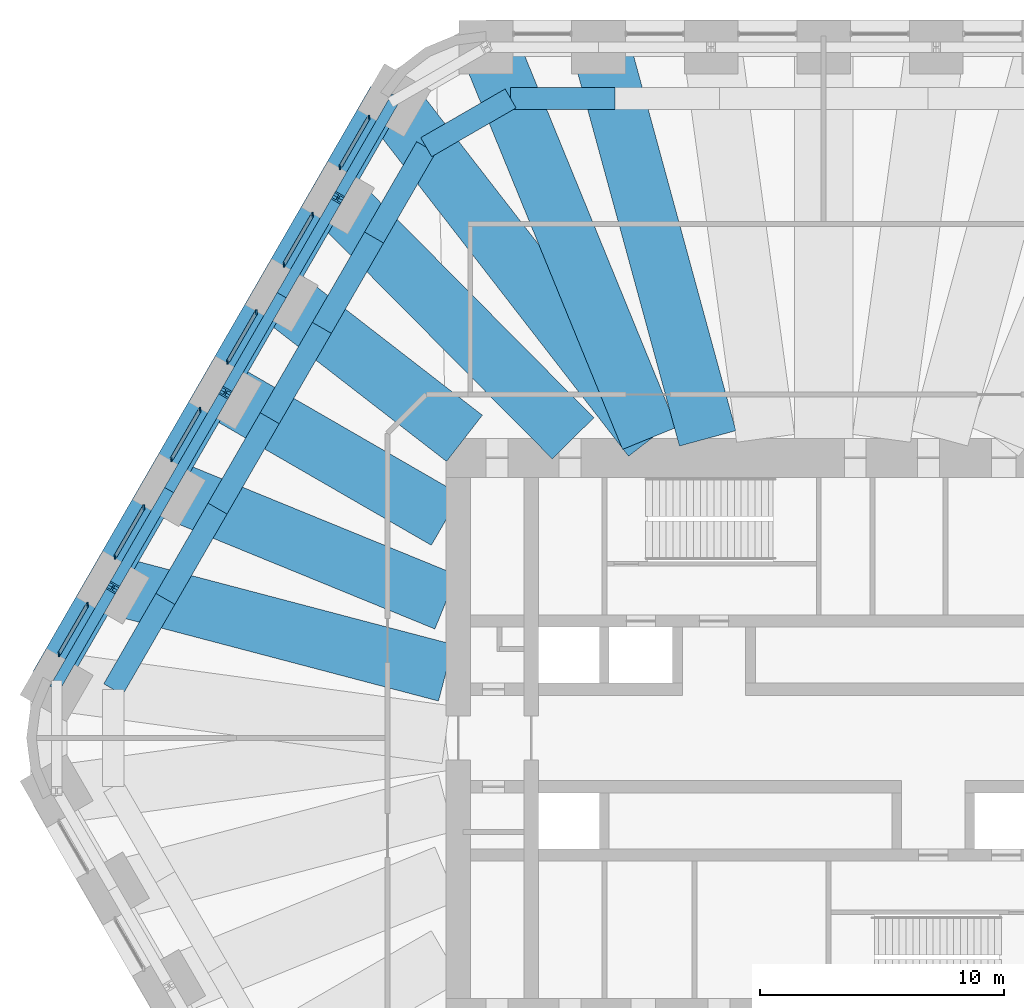
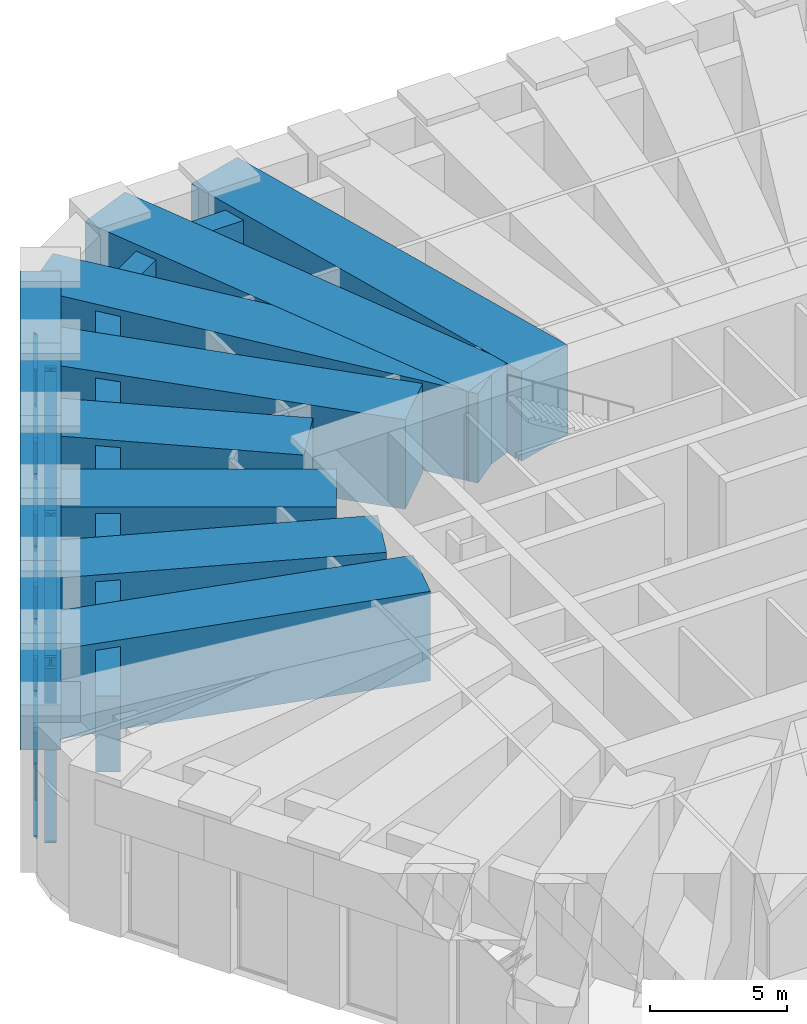
# One storey, part 6 of 14: 30 members, 22 beams, 6 elements without a shape of their own.
"""IFC4 building model written with IfcOpenShell, lengths in metres."""

from ifc_helpers import new_model, si_unit, direction, frame, origin, origin_2d, place, context, subcontext, project, spatial, rectangle, i_section, extrude, material, material_profile, profile_set, type_object, element, aggregate, save


model = new_model("IFC4")

# Units and contexts
model_context = context("Model", 3, precision=1e-05, world=origin(), true_north=direction((0.0, 1.0)))
body_context = subcontext(model_context, "Body", "Model", "MODEL_VIEW")
ifc_project = project(units=[si_unit("LENGTHUNIT", "METRE"), si_unit("AREAUNIT", "SQUARE_METRE"), si_unit("VOLUMEUNIT", "CUBIC_METRE"), si_unit("PLANEANGLEUNIT", "RADIAN"), si_unit("MASSUNIT", "GRAM", prefix="KILO")], contexts=[model_context])

# Site, building, storey
site_placement = place(None, origin())
site = spatial("IfcSite", under=ifc_project, at=site_placement, CompositionType="ELEMENT")
building_placement = place(site_placement, origin())
building = spatial("IfcBuilding", under=site, at=building_placement, Name="Tarfa Lantern Tower", CompositionType="ELEMENT")
storey_placement = place(building_placement, frame((0.0, 0.0, 299.5)))
storey = spatial("IfcBuildingStorey", under=building, at=storey_placement, Name="L68", CompositionType="ELEMENT", Elevation=299.5)

# Members
ifc_material_1 = material(Name="Steel S460M", Category="steel")
ifc_material_profile_1 = material_profile(ifc_material_1, i_section(OverallWidth=0.431884765625, OverallDepth=0.498046875, WebThickness=0.0556640625, FlangeThickness=0.0888671875, FilletRadius=0.02001953125, at=origin_2d()), Name="HD400x744")
ifc_profile_set_1 = profile_set([ifc_material_profile_1], Name="Steel S460M")
member_type_1 = type_object("IfcMemberType", Name="BT3 HD400x744", PredefinedType="BRACE", material=ifc_profile_set_1)
for number, where, z_axis, x_axis, name in (
    (1, (-17.62353515625, 26.175048828125, 0.60009765625), (-0.346717299558, -0.600487974203, 0.720556248342), (0.866009537788, -0.500027479704, 0.0), "Belt truss diagonal 15"),
    (2, (-22.242431640625, 18.175048828125, 0.60009765625), (0.346685053974, 0.600495604642, 0.720565404496), (-0.866032426089, 0.499987836815, 0.0), "Belt truss diagonal 16"),
    (3, (-22.242431640625, 18.175048828125, 0.60009765625), (-0.346685053974, -0.600495604642, 0.720565404496), (0.866032426089, -0.499987836815, 0.0), "Belt truss diagonal 17"),
    (4, (-26.861328125, 10.175048828125, 0.60009765625), (0.346717299558, 0.600487974203, 0.720556248342), (-0.866009537788, 0.500027479704, 0.0), "Belt truss diagonal 18"),
    (5, (-26.861328125, 10.175048828125, 0.60009765625), (-0.346685053974, -0.600495604642, 0.720565404496), (0.866032426089, -0.499987836815, 0.0), "Belt truss diagonal 19"),
    (6, (-31.47998046875, 2.175048828125, 0.60009765625), (0.346685053974, 0.600495604642, 0.720565404496), (-0.866032426089, 0.499987836815, 0.0), "Belt truss diagonal 20"),
):
    element("IfcMember", number, at=place(storey_placement, frame(where, z_axis=z_axis, x_axis=x_axis)), inside=storey, type_object=member_type_1, Name=name, PredefinedType="BRACE", context=body_context, shape_type="SweptSolid", body=[
        extrude(i_section(OverallWidth=0.431884765625, OverallDepth=0.498046875, WebThickness=0.0556640625, FlangeThickness=0.0888671875, FilletRadius=0.02001953125, at=origin_2d()), origin(), (0.0, 0.0, 1.0), 6.6611328125),
    ])

# Curtain wall, members
ifc_material_2 = material(Name="Aluminium framed curtain wall", Category="aluminium")
curtain_wall_type = type_object("IfcCurtainWallType", Name="CW6 LOUVRED SCREEN WALL 4700", PredefinedType="USERDEFINED", material=ifc_material_2)
curtain_wall_1_placement = place(storey_placement, origin())
curtain_wall_1 = element("IfcCurtainWall", 7, at=curtain_wall_1_placement, inside=storey, type_object=curtain_wall_type, Name="CW6 NW L68", ObjectType="CURTAIN WALL", PredefinedType="USERDEFINED")
ifc_material_3 = material(Name="Aluminium mullion", Category="aluminium")
ifc_material_profile_2 = material_profile(ifc_material_3, rectangle(XDim=0.06494140625, YDim=0.199951171875, at=origin_2d()), Name="AL MULLION 65x200")
ifc_profile_set_2 = profile_set([ifc_material_profile_2], Name="Aluminium mullion")
member_type_2 = type_object("IfcMemberType", Name="CWM1 MULLION 65x200", PredefinedType="MULLION", material=ifc_profile_set_2)
member_1_placement = place(storey_placement, frame((-18.666259765625, 25.46923828125, 0.0), z_axis=(0.0, 0.0, 1.0), x_axis=(1.0, 0.0, 0.0)))
member_1 = element("IfcMember", 8, at=member_1_placement, type_object=member_type_2, Name="CW6 mullion 1", PredefinedType="MULLION", context=body_context, shape_type="SweptSolid", body=[
    extrude(rectangle(XDim=0.06494140625, YDim=0.199951171875, at=origin_2d()), origin(), (0.0, 0.0, 1.0), 4.699951171875),
])
member_2_placement = place(storey_placement, frame((-19.843017578125, 23.4306640625, 0.0), z_axis=(0.0, 0.0, 1.0), x_axis=(1.0, 0.0, 0.0)))
member_2 = element("IfcMember", 9, at=member_2_placement, type_object=member_type_2, Name="CW6 mullion 2", PredefinedType="MULLION", context=body_context, shape_type="SweptSolid", body=[
    extrude(rectangle(XDim=0.06494140625, YDim=0.199951171875, at=origin_2d()), origin(), (0.0, 0.0, 1.0), 4.699951171875),
])

curtain_wall_2_placement = place(storey_placement, origin())
curtain_wall_2 = element("IfcCurtainWall", 10, at=curtain_wall_2_placement, inside=storey, type_object=curtain_wall_type, Name="CW6 NW L68", ObjectType="CURTAIN WALL", PredefinedType="USERDEFINED")
member_3_placement = place(storey_placement, frame((-20.9755859375, 21.46923828125, 0.0), z_axis=(0.0, 0.0, 1.0), x_axis=(1.0, 0.0, 0.0)))
member_3 = element("IfcMember", 11, at=member_3_placement, type_object=member_type_2, Name="CW6 mullion 1", PredefinedType="MULLION", context=body_context, shape_type="SweptSolid", body=[
    extrude(rectangle(XDim=0.06494140625, YDim=0.199951171875, at=origin_2d()), origin(), (0.0, 0.0, 1.0), 4.699951171875),
])
member_4_placement = place(storey_placement, frame((-22.152587890625, 19.4306640625, 0.0), z_axis=(0.0, 0.0, 1.0), x_axis=(1.0, 0.0, 0.0)))
member_4 = element("IfcMember", 12, at=member_4_placement, type_object=member_type_2, Name="CW6 mullion 2", PredefinedType="MULLION", context=body_context, shape_type="SweptSolid", body=[
    extrude(rectangle(XDim=0.06494140625, YDim=0.199951171875, at=origin_2d()), origin(), (0.0, 0.0, 1.0), 4.699951171875),
])

curtain_wall_3_placement = place(storey_placement, origin())
curtain_wall_3 = element("IfcCurtainWall", 13, at=curtain_wall_3_placement, inside=storey, type_object=curtain_wall_type, Name="CW6 NW L68", ObjectType="CURTAIN WALL", PredefinedType="USERDEFINED")
member_5_placement = place(storey_placement, frame((-23.284912109375, 17.46923828125, 0.0), z_axis=(0.0, 0.0, 1.0), x_axis=(1.0, 0.0, 0.0)))
member_5 = element("IfcMember", 14, at=member_5_placement, type_object=member_type_2, Name="CW6 mullion 1", PredefinedType="MULLION", context=body_context, shape_type="SweptSolid", body=[
    extrude(rectangle(XDim=0.06494140625, YDim=0.199951171875, at=origin_2d()), origin(), (0.0, 0.0, 1.0), 4.699951171875),
])
member_6_placement = place(storey_placement, frame((-24.4619140625, 15.4306640625, 0.0), z_axis=(0.0, 0.0, 1.0), x_axis=(1.0, 0.0, 0.0)))
member_6 = element("IfcMember", 15, at=member_6_placement, type_object=member_type_2, Name="CW6 mullion 2", PredefinedType="MULLION", context=body_context, shape_type="SweptSolid", body=[
    extrude(rectangle(XDim=0.06494140625, YDim=0.199951171875, at=origin_2d()), origin(), (0.0, 0.0, 1.0), 4.699951171875),
])

curtain_wall_4_placement = place(storey_placement, origin())
curtain_wall_4 = element("IfcCurtainWall", 16, at=curtain_wall_4_placement, inside=storey, type_object=curtain_wall_type, Name="CW6 NW L68", ObjectType="CURTAIN WALL", PredefinedType="USERDEFINED")
member_7_placement = place(storey_placement, frame((-25.594482421875, 13.46923828125, 0.0), z_axis=(0.0, 0.0, 1.0), x_axis=(1.0, 0.0, 0.0)))
member_7 = element("IfcMember", 17, at=member_7_placement, type_object=member_type_2, Name="CW6 mullion 1", PredefinedType="MULLION", context=body_context, shape_type="SweptSolid", body=[
    extrude(rectangle(XDim=0.06494140625, YDim=0.199951171875, at=origin_2d()), origin(), (0.0, 0.0, 1.0), 4.699951171875),
])
member_8_placement = place(storey_placement, frame((-26.771240234375, 11.4306640625, 0.0), z_axis=(0.0, 0.0, 1.0), x_axis=(1.0, 0.0, 0.0)))
member_8 = element("IfcMember", 18, at=member_8_placement, type_object=member_type_2, Name="CW6 mullion 2", PredefinedType="MULLION", context=body_context, shape_type="SweptSolid", body=[
    extrude(rectangle(XDim=0.06494140625, YDim=0.199951171875, at=origin_2d()), origin(), (0.0, 0.0, 1.0), 4.699951171875),
])

curtain_wall_5_placement = place(storey_placement, origin())
curtain_wall_5 = element("IfcCurtainWall", 19, at=curtain_wall_5_placement, inside=storey, type_object=curtain_wall_type, Name="CW6 NW L68", ObjectType="CURTAIN WALL", PredefinedType="USERDEFINED")
member_9_placement = place(storey_placement, frame((-27.90380859375, 9.46923828125, 0.0), z_axis=(0.0, 0.0, 1.0), x_axis=(1.0, 0.0, 0.0)))
member_9 = element("IfcMember", 20, at=member_9_placement, type_object=member_type_2, Name="CW6 mullion 1", PredefinedType="MULLION", context=body_context, shape_type="SweptSolid", body=[
    extrude(rectangle(XDim=0.06494140625, YDim=0.199951171875, at=origin_2d()), origin(), (0.0, 0.0, 1.0), 4.699951171875),
])
member_10_placement = place(storey_placement, frame((-29.08056640625, 7.4306640625, 0.0), z_axis=(0.0, 0.0, 1.0), x_axis=(1.0, 0.0, 0.0)))
member_10 = element("IfcMember", 21, at=member_10_placement, type_object=member_type_2, Name="CW6 mullion 2", PredefinedType="MULLION", context=body_context, shape_type="SweptSolid", body=[
    extrude(rectangle(XDim=0.06494140625, YDim=0.199951171875, at=origin_2d()), origin(), (0.0, 0.0, 1.0), 4.699951171875),
])

curtain_wall_6_placement = place(storey_placement, origin())
curtain_wall_6 = element("IfcCurtainWall", 22, at=curtain_wall_6_placement, inside=storey, type_object=curtain_wall_type, Name="CW6 NW L68", ObjectType="CURTAIN WALL", PredefinedType="USERDEFINED")
member_11_placement = place(storey_placement, frame((-30.213134765625, 5.46923828125, 0.0), z_axis=(0.0, 0.0, 1.0), x_axis=(1.0, 0.0, 0.0)))
member_11 = element("IfcMember", 23, at=member_11_placement, type_object=member_type_2, Name="CW6 mullion 1", PredefinedType="MULLION", context=body_context, shape_type="SweptSolid", body=[
    extrude(rectangle(XDim=0.06494140625, YDim=0.199951171875, at=origin_2d()), origin(), (0.0, 0.0, 1.0), 4.699951171875),
])
member_12_placement = place(storey_placement, frame((-31.39013671875, 3.4306640625, 0.0), z_axis=(0.0, 0.0, 1.0), x_axis=(1.0, 0.0, 0.0)))
member_12 = element("IfcMember", 24, at=member_12_placement, type_object=member_type_2, Name="CW6 mullion 2", PredefinedType="MULLION", context=body_context, shape_type="SweptSolid", body=[
    extrude(rectangle(XDim=0.06494140625, YDim=0.199951171875, at=origin_2d()), origin(), (0.0, 0.0, 1.0), 4.699951171875),
])

# Member
ifc_material_4 = material(Name="Aluminium transom", Category="aluminium")
ifc_material_profile_3 = material_profile(ifc_material_4, rectangle(XDim=0.14990234375, YDim=0.06494140625, at=origin_2d()), Name="AL TRANSOM 150x65")
ifc_profile_set_3 = profile_set([ifc_material_profile_3], Name="Aluminium transom")
member_type_3 = type_object("IfcMemberType", Name="CWT1 TRANSOM 150x65", PredefinedType="USERDEFINED", material=ifc_profile_set_3)
member_13_placement = place(storey_placement, frame((-18.682373046875, 25.441162109375, 0.032470703125), z_axis=(-0.500039451542, -0.866002625228, 0.0), x_axis=(0.866002625228, -0.500039451542, 0.0)))
member_13 = element("IfcMember", 25, at=member_13_placement, type_object=member_type_3, Name="CW6 transom 1.1", ObjectType="TRANSOM", PredefinedType="USERDEFINED", context=body_context, shape_type="SweptSolid", body=[
    extrude(rectangle(XDim=0.14990234375, YDim=0.06494140625, at=origin_2d()), origin(), (0.0, 0.0, 1.0), 2.288818359375),
])

member_14_placement = place(storey_placement, frame((-18.682373046875, 25.441162109375, 4.66748046875), z_axis=(-0.500039451542, -0.866002625228, 0.0), x_axis=(0.866002625228, -0.500039451542, 0.0)))
member_14 = element("IfcMember", 26, at=member_14_placement, type_object=member_type_3, Name="CW6 transom 1.2", ObjectType="TRANSOM", PredefinedType="USERDEFINED", context=body_context, shape_type="SweptSolid", body=[
    extrude(rectangle(XDim=0.14990234375, YDim=0.06494140625, at=origin_2d()), origin(), (0.0, 0.0, 1.0), 2.288818359375),
])

aggregate(curtain_wall_1, [member_1, member_2, member_13, member_14])

member_15_placement = place(storey_placement, frame((-20.991943359375, 21.441162109375, 0.032470703125), z_axis=(-0.499959451571, -0.866048813165, 0.0), x_axis=(0.866048813165, -0.499959451571, 0.0)))
member_15 = element("IfcMember", 27, at=member_15_placement, type_object=member_type_3, Name="CW6 transom 1.1", ObjectType="TRANSOM", PredefinedType="USERDEFINED", context=body_context, shape_type="SweptSolid", body=[
    extrude(rectangle(XDim=0.14990234375, YDim=0.06494140625, at=origin_2d()), origin(), (0.0, 0.0, 1.0), 2.288818359375),
])

member_16_placement = place(storey_placement, frame((-20.991943359375, 21.441162109375, 4.66748046875), z_axis=(-0.499959451571, -0.866048813165, 0.0), x_axis=(0.866048813165, -0.499959451571, 0.0)))
member_16 = element("IfcMember", 28, at=member_16_placement, type_object=member_type_3, Name="CW6 transom 1.2", ObjectType="TRANSOM", PredefinedType="USERDEFINED", context=body_context, shape_type="SweptSolid", body=[
    extrude(rectangle(XDim=0.14990234375, YDim=0.06494140625, at=origin_2d()), origin(), (0.0, 0.0, 1.0), 2.288818359375),
])

aggregate(curtain_wall_2, [member_3, member_4, member_15, member_16])

member_17_placement = place(storey_placement, frame((-23.30126953125, 17.441162109375, 0.032470703125), z_axis=(-0.499959451571, -0.866048813165, 0.0), x_axis=(0.866048813165, -0.499959451571, 0.0)))
member_17 = element("IfcMember", 29, at=member_17_placement, type_object=member_type_3, Name="CW6 transom 1.1", ObjectType="TRANSOM", PredefinedType="USERDEFINED", context=body_context, shape_type="SweptSolid", body=[
    extrude(rectangle(XDim=0.14990234375, YDim=0.06494140625, at=origin_2d()), origin(), (0.0, 0.0, 1.0), 2.288818359375),
])

member_18_placement = place(storey_placement, frame((-23.30126953125, 17.441162109375, 4.66748046875), z_axis=(-0.499959451571, -0.866048813165, 0.0), x_axis=(0.866048813165, -0.499959451571, 0.0)))
member_18 = element("IfcMember", 30, at=member_18_placement, type_object=member_type_3, Name="CW6 transom 1.2", ObjectType="TRANSOM", PredefinedType="USERDEFINED", context=body_context, shape_type="SweptSolid", body=[
    extrude(rectangle(XDim=0.14990234375, YDim=0.06494140625, at=origin_2d()), origin(), (0.0, 0.0, 1.0), 2.288818359375),
])

aggregate(curtain_wall_3, [member_5, member_6, member_17, member_18])

member_19_placement = place(storey_placement, frame((-25.610595703125, 13.441162109375, 0.032470703125), z_axis=(-0.500039451542, -0.866002625228, 0.0), x_axis=(0.866002625228, -0.500039451542, 0.0)))
member_19 = element("IfcMember", 31, at=member_19_placement, type_object=member_type_3, Name="CW6 transom 1.1", ObjectType="TRANSOM", PredefinedType="USERDEFINED", context=body_context, shape_type="SweptSolid", body=[
    extrude(rectangle(XDim=0.14990234375, YDim=0.06494140625, at=origin_2d()), origin(), (0.0, 0.0, 1.0), 2.288818359375),
])

member_20_placement = place(storey_placement, frame((-25.610595703125, 13.441162109375, 4.66748046875), z_axis=(-0.500039451542, -0.866002625228, 0.0), x_axis=(0.866002625228, -0.500039451542, 0.0)))
member_20 = element("IfcMember", 32, at=member_20_placement, type_object=member_type_3, Name="CW6 transom 1.2", ObjectType="TRANSOM", PredefinedType="USERDEFINED", context=body_context, shape_type="SweptSolid", body=[
    extrude(rectangle(XDim=0.14990234375, YDim=0.06494140625, at=origin_2d()), origin(), (0.0, 0.0, 1.0), 2.288818359375),
])

aggregate(curtain_wall_4, [member_7, member_8, member_19, member_20])

member_21_placement = place(storey_placement, frame((-27.919921875, 9.441162109375, 0.032470703125), z_axis=(-0.500039451542, -0.866002625228, 0.0), x_axis=(0.866002625228, -0.500039451542, 0.0)))
member_21 = element("IfcMember", 33, at=member_21_placement, type_object=member_type_3, Name="CW6 transom 1.1", ObjectType="TRANSOM", PredefinedType="USERDEFINED", context=body_context, shape_type="SweptSolid", body=[
    extrude(rectangle(XDim=0.14990234375, YDim=0.06494140625, at=origin_2d()), origin(), (0.0, 0.0, 1.0), 2.288818359375),
])

member_22_placement = place(storey_placement, frame((-27.919921875, 9.441162109375, 4.66748046875), z_axis=(-0.500039451542, -0.866002625228, 0.0), x_axis=(0.866002625228, -0.500039451542, 0.0)))
member_22 = element("IfcMember", 34, at=member_22_placement, type_object=member_type_3, Name="CW6 transom 1.2", ObjectType="TRANSOM", PredefinedType="USERDEFINED", context=body_context, shape_type="SweptSolid", body=[
    extrude(rectangle(XDim=0.14990234375, YDim=0.06494140625, at=origin_2d()), origin(), (0.0, 0.0, 1.0), 2.288818359375),
])

aggregate(curtain_wall_5, [member_9, member_10, member_21, member_22])

member_23_placement = place(storey_placement, frame((-30.2294921875, 5.441162109375, 0.032470703125), z_axis=(-0.499959451571, -0.866048813165, 0.0), x_axis=(0.866048813165, -0.499959451571, 0.0)))
member_23 = element("IfcMember", 35, at=member_23_placement, type_object=member_type_3, Name="CW6 transom 1.1", ObjectType="TRANSOM", PredefinedType="USERDEFINED", context=body_context, shape_type="SweptSolid", body=[
    extrude(rectangle(XDim=0.14990234375, YDim=0.06494140625, at=origin_2d()), origin(), (0.0, 0.0, 1.0), 2.288818359375),
])

member_24_placement = place(storey_placement, frame((-30.2294921875, 5.441162109375, 4.66748046875), z_axis=(-0.499959451571, -0.866048813165, 0.0), x_axis=(0.866048813165, -0.499959451571, 0.0)))
member_24 = element("IfcMember", 36, at=member_24_placement, type_object=member_type_3, Name="CW6 transom 1.2", ObjectType="TRANSOM", PredefinedType="USERDEFINED", context=body_context, shape_type="SweptSolid", body=[
    extrude(rectangle(XDim=0.14990234375, YDim=0.06494140625, at=origin_2d()), origin(), (0.0, 0.0, 1.0), 2.288818359375),
])

aggregate(curtain_wall_6, [member_11, member_12, member_23, member_24])

# Beams
ifc_material_5 = material(Name="Concrete C80/95", Category="concrete")
ifc_material_profile_4 = material_profile(ifc_material_5, rectangle(XDim=1.5, YDim=2.0, at=origin_2d()), Name="RC 1500x2000")
ifc_profile_set_4 = profile_set([ifc_material_profile_4], Name="Concrete C80/95")
beam_type_1 = type_object("IfcBeamType", Name="RB3 RC 1500x2000", PredefinedType="BEAM", material=ifc_profile_set_4)
for number, where, z_axis, x_axis, name in (
    (37, (-17.944091796875, 26.360107421875, 5.699951171875), (-0.499987836815, -0.866032426089, 0.0), (0.866032426089, -0.499987836815, 0.0), "Edge beam NW0"),
    (38, (-20.25341796875, 22.360107421875, 5.699951171875), (-0.499987836815, -0.866032426089, 0.0), (0.866032426089, -0.499987836815, 0.0), "Edge beam NW1"),
):
    element("IfcBeam", number, at=place(storey_placement, frame(where, z_axis=z_axis, x_axis=x_axis)), inside=storey, type_object=beam_type_1, Name=name, PredefinedType="BEAM", context=body_context, shape_type="SweptSolid", body=[
        extrude(rectangle(XDim=1.5, YDim=2.0, at=origin_2d()), origin(), (0.0, 0.0, 1.0), 4.61865234375),
    ])
beam_1_placement = place(storey_placement, frame((-22.562744140625, 18.360107421875, 5.699951171875), z_axis=(-0.500027479704, -0.866009537788, 0.0), x_axis=(0.866009537788, -0.500027479704, 0.0)))
element("IfcBeam", 39, at=beam_1_placement, inside=storey, type_object=beam_type_1, Name="Edge beam NW2", PredefinedType="BEAM", context=body_context, shape_type="SweptSolid", body=[
    extrude(rectangle(XDim=1.5, YDim=2.0, at=origin_2d()), origin(), (0.0, 0.0, 1.0), 4.618896484375),
])
for number, where, z_axis, x_axis, name in (
    (40, (-24.872314453125, 14.360107421875, 5.699951171875), (-0.499987836815, -0.866032426089, 0.0), (0.866032426089, -0.499987836815, 0.0), "Edge beam NW3"),
    (41, (-27.181640625, 10.360107421875, 5.699951171875), (-0.499987836815, -0.866032426089, 0.0), (0.866032426089, -0.499987836815, 0.0), "Edge beam NW4"),
):
    element("IfcBeam", number, at=place(storey_placement, frame(where, z_axis=z_axis, x_axis=x_axis)), inside=storey, type_object=beam_type_1, Name=name, PredefinedType="BEAM", context=body_context, shape_type="SweptSolid", body=[
        extrude(rectangle(XDim=1.5, YDim=2.0, at=origin_2d()), origin(), (0.0, 0.0, 1.0), 4.61865234375),
    ])
beam_2_placement = place(storey_placement, frame((-29.490966796875, 6.360107421875, 5.699951171875), z_axis=(-0.500027479704, -0.866009537788, 0.0), x_axis=(0.866009537788, -0.500027479704, 0.0)))
element("IfcBeam", 42, at=beam_2_placement, inside=storey, type_object=beam_type_1, Name="Edge beam NW5", PredefinedType="BEAM", context=body_context, shape_type="SweptSolid", body=[
    extrude(rectangle(XDim=1.5, YDim=2.0, at=origin_2d()), origin(), (0.0, 0.0, 1.0), 4.618896484375),
])
ifc_material_profile_5 = material_profile(ifc_material_5, rectangle(XDim=0.89990234375, YDim=3.39990234375, at=origin_2d()), Name="RC 900x3400")
ifc_profile_set_5 = profile_set([ifc_material_profile_5], Name="Concrete C80/95")
beam_type_2 = type_object("IfcBeamType", Name="RG3 RC 900x3400", PredefinedType="BEAM", material=ifc_profile_set_5)
beam_3_placement = place(storey_placement, frame((-8.56396484375, 26.25, 4.699951171875), z_axis=(-1.0, 0.0, 0.0), x_axis=(0.0, -1.0, 0.0)))
element("IfcBeam", 43, at=beam_3_placement, inside=storey, type_object=beam_type_2, Name="Ring girder N5", PredefinedType="BEAM", context=body_context, shape_type="SweptSolid", body=[
    extrude(rectangle(XDim=0.89990234375, YDim=3.39990234375, at=origin_2d()), origin(), (0.0, 0.0, 1.0), 4.281982421875),
])
beam_4_placement = place(storey_placement, frame((-12.845947265625, 26.25, 4.699951171875), z_axis=(-0.866026010844, -0.49999894854, 0.0), x_axis=(0.49999894854, -0.866026010844, 0.0)))
element("IfcBeam", 44, at=beam_4_placement, inside=storey, type_object=beam_type_2, Name="Ring girder N6", PredefinedType="BEAM", context=body_context, shape_type="SweptSolid", body=[
    extrude(rectangle(XDim=0.89990234375, YDim=3.39990234375, at=origin_2d()), origin(), (0.0, 0.0, 1.0), 4.0),
])
for number, where, z_axis, x_axis, name in (
    (45, (-16.31005859375, 24.25, 4.699951171875), (-0.500026801138, -0.866009929587, 0.0), (0.866009929587, -0.500026801138, 0.0), "Ring girder NW0"),
    (46, (-18.451171875, 20.541748046875, 4.699951171875), (-0.499959351497, -0.866048870937, 0.0), (0.866048870937, -0.499959351497, 0.0), "Ring girder NW1"),
    (47, (-20.592041015625, 16.833251953125, 4.699951171875), (-0.500026801138, -0.866009929587, 0.0), (0.866009929587, -0.500026801138, 0.0), "Ring girder NW2"),
    (48, (-22.733154296875, 13.125, 4.699951171875), (-0.500026801138, -0.866009929587, 0.0), (0.866009929587, -0.500026801138, 0.0), "Ring girder NW3"),
    (49, (-24.874267578125, 9.416748046875, 4.699951171875), (-0.499959351497, -0.866048870937, 0.0), (0.866048870937, -0.499959351497, 0.0), "Ring girder NW4"),
    (50, (-27.01513671875, 5.708251953125, 4.699951171875), (-0.500026801138, -0.866009929587, 0.0), (0.866009929587, -0.500026801138, 0.0), "Ring girder NW5"),
):
    element("IfcBeam", number, at=place(storey_placement, frame(where, z_axis=z_axis, x_axis=x_axis)), inside=storey, type_object=beam_type_2, Name=name, PredefinedType="BEAM", context=body_context, shape_type="SweptSolid", body=[
        extrude(rectangle(XDim=0.89990234375, YDim=3.39990234375, at=origin_2d()), origin(), (0.0, 0.0, 1.0), 4.281982421875),
    ])
ifc_material_profile_6 = material_profile(ifc_material_5, rectangle(XDim=2.39990234375, YDim=4.0, at=origin_2d()), Name="RC 2400x4000")
ifc_profile_set_6 = profile_set([ifc_material_profile_6], Name="Concrete C80/95")
beam_type_3 = type_object("IfcBeamType", Name="TG3 RC 2400x4000", PredefinedType="BEAM", material=ifc_profile_set_6)
beam_5_placement = place(storey_placement, frame((-9.237548828125, 28.719970703125, 4.699951171875), z_axis=(0.263096771383, -0.964769448567, 0.0), x_axis=(0.964769448567, 0.263096771383, 0.0)))
element("IfcBeam", 51, at=beam_5_placement, inside=storey, type_object=beam_type_3, Name="Transfer girder N5", PredefinedType="BEAM", context=body_context, shape_type="SweptSolid", body=[
    extrude(rectangle(XDim=2.39990234375, YDim=4.0, at=origin_2d()), origin(), (0.0, 0.0, 1.0), 17.01953125),
])
beam_6_placement = place(storey_placement, frame((-13.8564453125, 28.719970703125, 4.699951171875), z_axis=(0.378611411494, -0.925555724463, 0.0), x_axis=(0.925555724463, 0.378611411494, 0.0)))
element("IfcBeam", 52, at=beam_6_placement, inside=storey, type_object=beam_type_3, Name="Transfer girder N6", PredefinedType="BEAM", context=body_context, shape_type="SweptSolid", body=[
    extrude(rectangle(XDim=2.39990234375, YDim=4.0, at=origin_2d()), origin(), (0.0, 0.0, 1.0), 17.74072265625),
])
beam_7_placement = place(storey_placement, frame((-17.944091796875, 26.360107421875, 4.699951171875), z_axis=(0.612252108076, -0.790662605766, 0.0), x_axis=(0.790662605766, 0.612252108076, 0.0)))
element("IfcBeam", 53, at=beam_7_placement, inside=storey, type_object=beam_type_3, Name="Transfer girder NW0", PredefinedType="BEAM", context=body_context, shape_type="SweptSolid", body=[
    extrude(rectangle(XDim=2.39990234375, YDim=4.0, at=origin_2d()), origin(), (0.0, 0.0, 1.0), 17.78271484375),
])
beam_8_placement = place(storey_placement, frame((-20.25341796875, 22.360107421875, 4.699951171875), z_axis=(0.703962825623, -0.710236819759, 0.0), x_axis=(0.710236819759, 0.703962825623, 0.0)))
element("IfcBeam", 54, at=beam_8_placement, inside=storey, type_object=beam_type_3, Name="Transfer girder NW1", PredefinedType="BEAM", context=body_context, shape_type="SweptSolid", body=[
    extrude(rectangle(XDim=2.39990234375, YDim=4.0, at=origin_2d()), origin(), (0.0, 0.0, 1.0), 14.164306640625),
])
beam_9_placement = place(storey_placement, frame((-22.562744140625, 18.360107421875, 4.699951171875), z_axis=(0.79053181074, -0.612420979563, 0.0), x_axis=(0.612420979563, 0.79053181074, 0.0)))
element("IfcBeam", 55, at=beam_9_placement, inside=storey, type_object=beam_type_3, Name="Transfer girder NW2", PredefinedType="BEAM", context=body_context, shape_type="SweptSolid", body=[
    extrude(rectangle(XDim=2.39990234375, YDim=4.0, at=origin_2d()), origin(), (0.0, 0.0, 1.0), 9.895263671875),
])
beam_10_placement = place(storey_placement, frame((-24.872314453125, 14.360107421875, 4.699951171875), z_axis=(0.8660244219, -0.500001700669, 0.0), x_axis=(0.500001700669, 0.8660244219, 0.0)))
element("IfcBeam", 56, at=beam_10_placement, inside=storey, type_object=beam_type_3, Name="Transfer girder NW3", PredefinedType="BEAM", context=body_context, shape_type="SweptSolid", body=[
    extrude(rectangle(XDim=2.39990234375, YDim=4.0, at=origin_2d()), origin(), (0.0, 0.0, 1.0), 10.822265625),
])
beam_11_placement = place(storey_placement, frame((-27.181640625, 10.360107421875, 4.699951171875), z_axis=(0.925636295671, -0.3784143868, 0.0), x_axis=(0.3784143868, 0.925636295671, 0.0)))
element("IfcBeam", 57, at=beam_11_placement, inside=storey, type_object=beam_type_3, Name="Transfer girder NW4", PredefinedType="BEAM", context=body_context, shape_type="SweptSolid", body=[
    extrude(rectangle(XDim=2.39990234375, YDim=4.0, at=origin_2d()), origin(), (0.0, 0.0, 1.0), 12.6201171875),
])
beam_12_placement = place(storey_placement, frame((-29.490966796875, 6.360107421875, 4.699951171875), z_axis=(0.967061201985, -0.25454396794, 0.0), x_axis=(0.25454396794, 0.967061201985, 0.0)))
element("IfcBeam", 58, at=beam_12_placement, inside=storey, type_object=beam_type_3, Name="Transfer girder NW5", PredefinedType="BEAM", context=body_context, shape_type="SweptSolid", body=[
    extrude(rectangle(XDim=2.39990234375, YDim=4.0, at=origin_2d()), origin(), (0.0, 0.0, 1.0), 14.467529296875),
])

save(model, "model.ifc")
